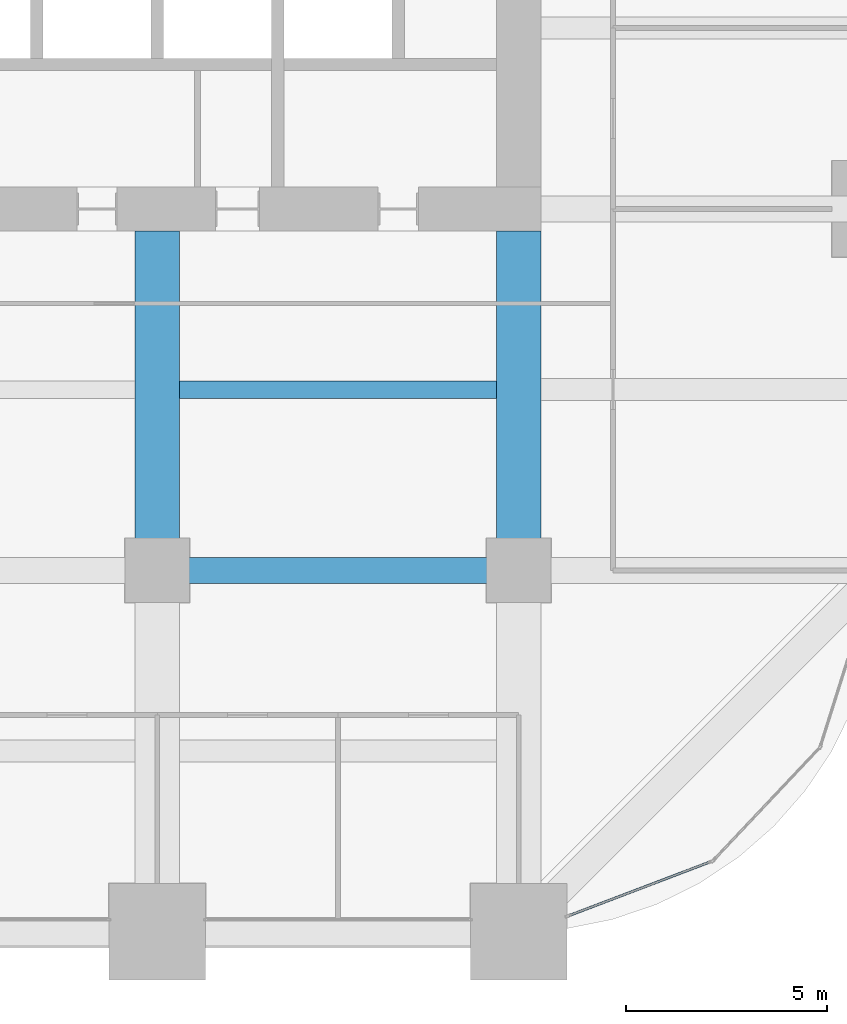
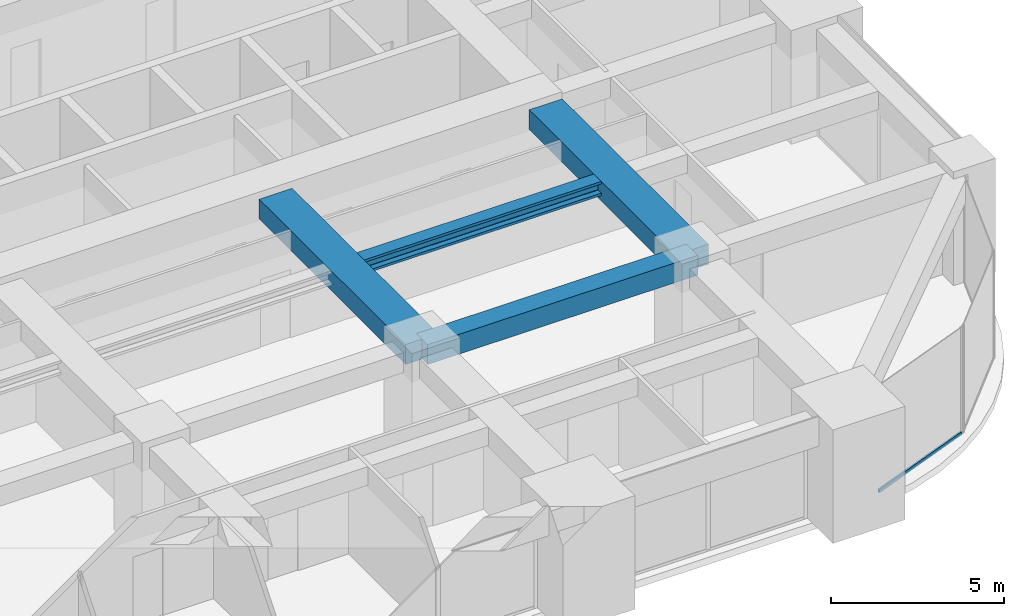
# One storey, part 15 of 32: 4 beams, 1 member, 1 element without a shape of its own.
"""IFC4 building model written with IfcOpenShell, lengths in metres."""

from ifc_helpers import new_model, si_unit, direction, frame, origin, origin_2d, place, context, subcontext, project, spatial, rectangle, hollow_rectangle, i_section, extrude, material, material_profile, profile_set, type_object, element, aggregate, save


model = new_model("IFC4")

# Units and contexts
model_context = context("Model", 3, precision=1e-05, world=origin(), true_north=direction((0.0, 1.0)))
body_context = subcontext(model_context, "Body", "Model", "MODEL_VIEW")
ifc_project = project(units=[si_unit("LENGTHUNIT", "METRE"), si_unit("AREAUNIT", "SQUARE_METRE"), si_unit("VOLUMEUNIT", "CUBIC_METRE"), si_unit("PLANEANGLEUNIT", "RADIAN"), si_unit("MASSUNIT", "GRAM", prefix="KILO")], contexts=[model_context])

# Site, building, storey
site_placement = place(None, origin())
site = spatial("IfcSite", under=ifc_project, at=site_placement, CompositionType="ELEMENT")
building_placement = place(site_placement, origin())
building = spatial("IfcBuilding", under=site, at=building_placement, Name="Zorevar Civic Tower", CompositionType="ELEMENT")
storey_placement = place(building_placement, frame((0.0, 0.0, 182.199951171875)))
storey = spatial("IfcBuildingStorey", under=building, at=storey_placement, Name="L44", CompositionType="ELEMENT", Elevation=182.199951171875)

# Beams
ifc_material_1 = material(Name="Concrete C50/60", Category="concrete")
ifc_material_profile_1 = material_profile(ifc_material_1, rectangle(XDim=1.10009765625, YDim=0.699951171875, at=origin_2d()), Name="RC 1100x700")
ifc_profile_set_1 = profile_set([ifc_material_profile_1], Name="Concrete C50/60")
beam_type_1 = type_object("IfcBeamType", Name="Beam RC 1100x700", PredefinedType="BEAM", material=ifc_profile_set_1)
for number, where, z_axis, x_axis, name in (
    (1, (36.0, 9.0, 3.400146484375), (0.0, 1.0, 0.0), (-1.0, 0.0, 0.0), "Girder L45"),
    (2, (45.0, 9.0, 3.400146484375), (0.0, 1.0, 0.0), (-1.0, 0.0, 0.0), "Girder L45"),
):
    element("IfcBeam", number, at=place(storey_placement, frame(where, z_axis=z_axis, x_axis=x_axis)), inside=storey, type_object=beam_type_1, Name=name, PredefinedType="BEAM", context=body_context, shape_type="SweptSolid", body=[
        extrude(rectangle(XDim=1.10009765625, YDim=0.699951171875, at=origin_2d()), origin(), (0.0, 0.0, 1.0), 8.449951171875),
    ])
ifc_material_2 = material(Name="Concrete C50/60", Category="concrete")
ifc_material_profile_2 = material_profile(ifc_material_2, rectangle(XDim=0.64990234375, YDim=0.699951171875, at=origin_2d()), Name="RC 650x700")
ifc_profile_set_2 = profile_set([ifc_material_profile_2], Name="Concrete C50/60")
beam_type_2 = type_object("IfcBeamType", Name="Beam RC 650x700", PredefinedType="BEAM", material=ifc_profile_set_2)
beam_1_placement = place(storey_placement, frame((36.0, 9.0, 3.400146484375), z_axis=(1.0, 0.0, 0.0), x_axis=(0.0, 1.0, 0.0)))
element("IfcBeam", 3, at=beam_1_placement, inside=storey, type_object=beam_type_2, Name="Girder L45", PredefinedType="BEAM", context=body_context, shape_type="SweptSolid", body=[
    extrude(rectangle(XDim=0.64990234375, YDim=0.699951171875, at=origin_2d()), origin(), (0.0, 0.0, 1.0), 9.0),
])

# Curtain wall, member
ifc_material_3 = material(Name="Dark grey solar-control glass in black aluminium frame", Category="aluminium")
curtain_wall_type = type_object("IfcCurtainWallType", Name="Curtain wall CW4 high zone", PredefinedType="NOTDEFINED", material=ifc_material_3)
curtain_wall_placement = place(storey_placement, origin())
curtain_wall = element("IfcCurtainWall", 4, at=curtain_wall_placement, inside=storey, type_object=curtain_wall_type, Name="CW4 L44", PredefinedType="NOTDEFINED")
ifc_material_4 = material(Name="Aluminium, black anodised", Category="aluminium")
ifc_material_profile_3 = material_profile(ifc_material_4, hollow_rectangle(XDim=0.06005859375, YDim=0.1201171875, WallThickness=0.0029296875, at=origin_2d()), Name="AL 120x60x3")
ifc_profile_set_3 = profile_set([ifc_material_profile_3], Name="Aluminium, black anodised")
member_type = type_object("IfcMemberType", Name="CW4 transom AL 120x60x3", PredefinedType="USERDEFINED", material=ifc_profile_set_3)
member_placement = place(storey_placement, frame((46.256103515625, 0.404541015625, 0.030029296875), z_axis=(0.934589335576, 0.355728511406, 0.0), x_axis=(-0.355728511406, 0.934589335576, 0.0)))
member = element("IfcMember", 5, at=member_placement, type_object=member_type, Name="CW4 sill transom", ObjectType="TRANSOM", PredefinedType="USERDEFINED", context=body_context, shape_type="SweptSolid", body=[
    extrude(hollow_rectangle(XDim=0.06005859375, YDim=0.1201171875, WallThickness=0.0029296875, at=origin_2d()), origin(), (0.0, 0.0, 1.0), 3.76708984375),
])
aggregate(curtain_wall, [member])

# Beam
ifc_material_5 = material(Name="Steel S460M (HISTAR 460)", Category="steel")
ifc_material_profile_4 = material_profile(ifc_material_5, i_section(OverallWidth=0.431884765625, OverallDepth=0.498046875, WebThickness=0.0556640625, FlangeThickness=0.0888671875, FilletRadius=0.014892578125, at=origin_2d()), Name="HD 400x744")
ifc_profile_set_4 = profile_set([ifc_material_profile_4], Name="Steel S460M (HISTAR 460)")
beam_type_3 = type_object("IfcBeamType", Name="Core bay beam HD 400x744", PredefinedType="BEAM", material=ifc_profile_set_4)
beam_2_placement = place(storey_placement, frame((36.550048828125, 13.5, 3.5009765625), z_axis=(1.0, 0.0, 0.0), x_axis=(0.0, 1.0, 0.0)))
element("IfcBeam", 6, at=beam_2_placement, inside=storey, type_object=beam_type_3, Name="Secondary beam L45", PredefinedType="BEAM", context=body_context, shape_type="SweptSolid", body=[
    extrude(i_section(OverallWidth=0.431884765625, OverallDepth=0.498046875, WebThickness=0.0556640625, FlangeThickness=0.0888671875, FilletRadius=0.014892578125, at=origin_2d()), origin(), (0.0, 0.0, 1.0), 7.89990234375),
])

save(model, "model.ifc")
